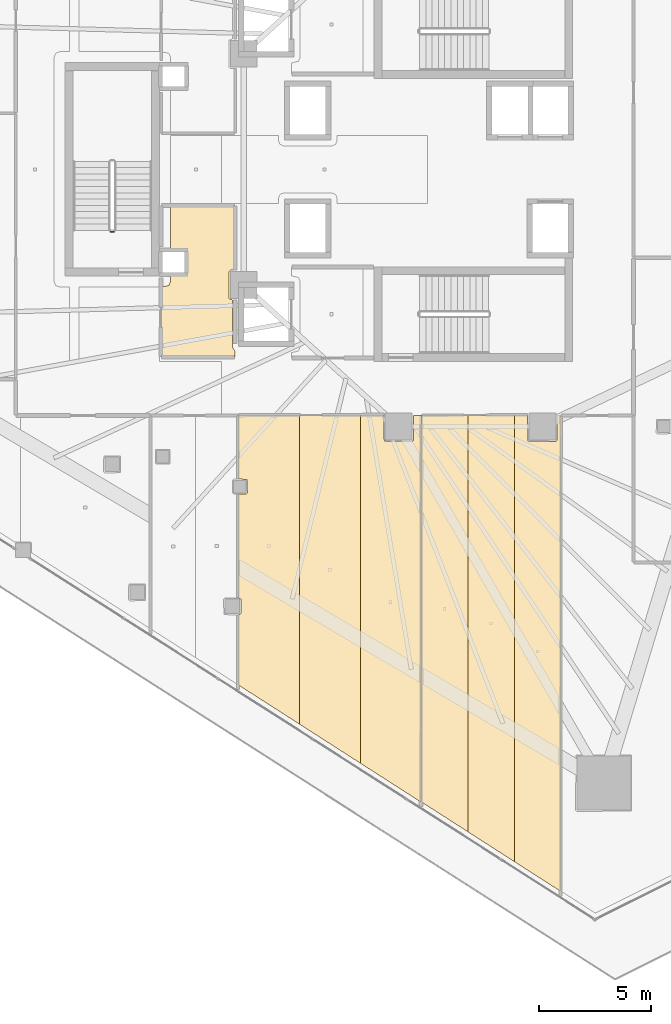
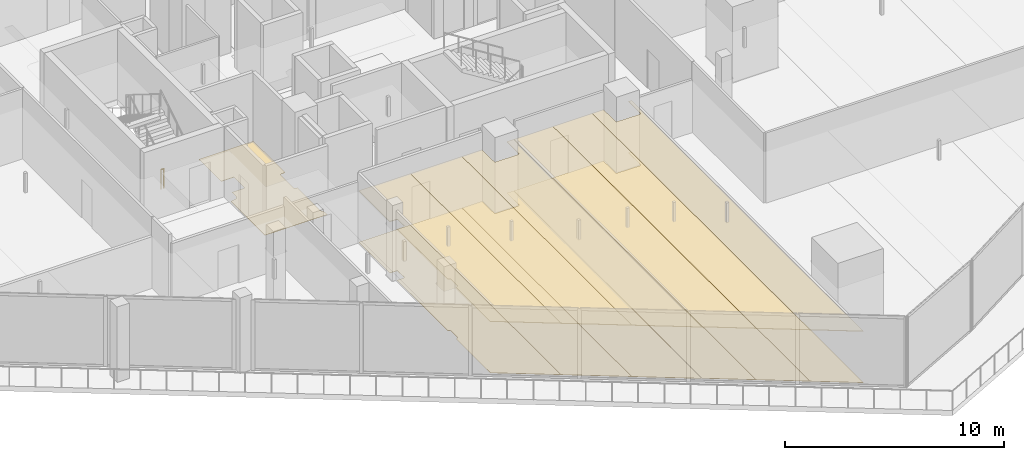
# One storey, part 37 of 44: 13 coverings, 1 railing.
"""IFC4 building model written with IfcOpenShell, lengths in metres."""

from ifc_helpers import new_model, si_unit, direction, frame, origin, origin_2d, place, context, subcontext, project, spatial, polyline, circle, outline, extrude, material, layer, layer_set, type_object, element, save


model = new_model("IFC4")

# Units and contexts
model_context = context("Model", 3, precision=1e-05, world=origin(), true_north=direction((0.0, 1.0)))
body_context = subcontext(model_context, "Body", "Model", "MODEL_VIEW")
ifc_project = project(units=[si_unit("LENGTHUNIT", "METRE"), si_unit("AREAUNIT", "SQUARE_METRE"), si_unit("VOLUMEUNIT", "CUBIC_METRE"), si_unit("PLANEANGLEUNIT", "RADIAN"), si_unit("MASSUNIT", "GRAM", prefix="KILO")], contexts=[model_context])

# Site, building, storey
site_placement = place(None, origin())
site = spatial("IfcSite", under=ifc_project, at=site_placement, CompositionType="ELEMENT")
building_placement = place(site_placement, origin())
building = spatial("IfcBuilding", under=site, at=building_placement, Name="Qorvath Tower", CompositionType="ELEMENT")
storey_placement = place(building_placement, frame((0.0, 0.0, 45.0)))
storey = spatial("IfcBuildingStorey", under=building, at=storey_placement, Name="L09", CompositionType="ELEMENT", Elevation=45.0)

# Coverings
ifc_material_1 = material(Name="Acoustic mineral fibre ceiling tile", Category="gypsum")
ifc_layer_1 = layer(ifc_material_1, 0.030029296875)
ifc_layer_set_1 = layer_set([ifc_layer_1], Name="COV-CEIL")
covering_type_1 = type_object("IfcCoveringType", Name="COV-CEIL", PredefinedType="CEILING", material=ifc_layer_set_1)
covering_1_placement = place(storey_placement, frame((0.0, 0.0, 2.85009765625)))
element("IfcCovering", 1, at=covering_1_placement, inside=storey, type_object=covering_type_1, Name="L09 Suspended Acoustic Ceiling 024", PredefinedType="CEILING", context=body_context, shape_type="SweptSolid", body=[
    extrude(outline(polyline([(-28.028076171875, -24.69775390625), (-28.028076171875, -10.953369140625), (-30.744384765625, -10.962890625), (-30.744384765625, -13.789306640625), (-30.35986328125, -13.806884765625), (-30.34228515625, -14.3994140625), (-30.402099609375, -14.459228515625), (-30.744384765625, -14.459228515625), (-30.744384765625, -19.075439453125), (-30.631103515625, -19.135498046875), (-30.631103515625, -19.785400390625), (-30.744384765625, -19.845458984375), (-30.744384765625, -22.95556640625), (-28.028076171875, -24.69775390625)])), origin(), (0.0, 0.0, 1.0), 0.030029296875),
])
covering_2_placement = place(storey_placement, frame((0.0, 0.0, 2.85009765625)))
element("IfcCovering", 2, at=covering_2_placement, inside=storey, type_object=covering_type_1, Name="L09 Suspended Acoustic Ceiling 025", PredefinedType="CEILING", context=body_context, shape_type="SweptSolid", body=[
    extrude(outline(polyline([(-25.311767578125, -26.440185546875), (-25.311767578125, -10.94384765625), (-28.028076171875, -10.953369140625), (-28.028076171875, -24.69775390625), (-25.311767578125, -26.440185546875)])), origin(), (0.0, 0.0, 1.0), 0.030029296875),
])
covering_3_placement = place(storey_placement, frame((0.0, 0.0, 2.85009765625)))
element("IfcCovering", 3, at=covering_3_placement, inside=storey, type_object=covering_type_1, Name="L09 Suspended Acoustic Ceiling 026", PredefinedType="CEILING", context=body_context, shape_type="SweptSolid", body=[
    extrude(outline(polyline([(-22.613037109375, -28.1708984375), (-22.595458984375, -10.962890625), (-22.93994140625, -10.94921875), (-22.93994140625, -12.050048828125), (-23.0, -12.110107421875), (-24.242431640625, -12.092529296875), (-24.260009765625, -10.940185546875), (-25.311767578125, -10.94384765625), (-25.311767578125, -26.440185546875), (-22.613037109375, -28.1708984375)])), origin(), (0.0, 0.0, 1.0), 0.030029296875),
])
covering_4_placement = place(storey_placement, frame((0.0, 0.0, 2.85009765625)))
element("IfcCovering", 4, at=covering_4_placement, inside=storey, type_object=covering_type_1, Name="L09 Suspended Acoustic Ceiling 027", PredefinedType="CEILING", context=body_context, shape_type="SweptSolid", body=[
    extrude(outline(polyline([(-20.5244140625, -29.49365234375), (-20.5244140625, -10.953125), (-22.577392578125, -10.962890625), (-22.59521484375, -28.1640625), (-20.5244140625, -29.49365234375)])), origin(), (0.0, 0.0, 1.0), 0.030029296875),
])
covering_5_placement = place(storey_placement, frame((0.0, 0.0, 2.85009765625)))
element("IfcCovering", 5, at=covering_5_placement, inside=storey, type_object=covering_type_1, Name="L09 Suspended Acoustic Ceiling 028", PredefinedType="CEILING", context=body_context, shape_type="SweptSolid", body=[
    extrude(outline(polyline([(-18.45361328125, -30.823486328125), (-18.45361328125, -10.943115234375), (-20.5244140625, -10.953125), (-20.5244140625, -29.49365234375), (-18.45361328125, -30.823486328125)])), origin(), (0.0, 0.0, 1.0), 0.030029296875),
])
covering_6_placement = place(storey_placement, frame((0.0, 0.0, 2.85009765625)))
element("IfcCovering", 6, at=covering_6_placement, inside=storey, type_object=covering_type_1, Name="L09 Suspended Acoustic Ceiling 029", PredefinedType="CEILING", context=body_context, shape_type="SweptSolid", body=[
    extrude(outline(polyline([(-16.400390625, -32.1416015625), (-16.3828125, -10.962646484375), (-16.5400390625, -10.953857421875), (-16.5400390625, -12.050048828125), (-16.60009765625, -12.110107421875), (-17.842529296875, -12.092529296875), (-17.860107421875, -10.940185546875), (-18.45361328125, -10.943115234375), (-18.45361328125, -30.823486328125), (-16.400390625, -32.1416015625)])), origin(), (0.0, 0.0, 1.0), 0.030029296875),
])
ifc_material_2 = material(Name="Low-VOC modular carpet tile", Category="textile")
ifc_layer_2 = layer(ifc_material_2, 0.014892578125)
ifc_layer_set_2 = layer_set([ifc_layer_2], Name="COV-FLOOR-CPT")
covering_type_2 = type_object("IfcCoveringType", Name="COV-FLOOR-CPT", PredefinedType="FLOORING", material=ifc_layer_set_2)
covering_7_placement = place(storey_placement, origin())
element("IfcCovering", 7, at=covering_7_placement, inside=storey, type_object=covering_type_2, Name="L09 Floor Finish 004", PredefinedType="FLOORING", context=body_context, shape_type="SweptSolid", body=[
    extrude(outline(polyline([(-30.885009765625, -1.60498046875), (-33.760009765625, -1.60498046875), (-33.760009765625, -3.636962890625), (-33.08837890625, -3.638427734375), (-33.0869140625, -4.6279296875), (-33.760009765625, -4.633056640625), (-33.760009765625, -4.989990234375), (-33.833251953125, -5.166748046875), (-34.175048828125, -5.239990234375), (-34.175048828125, -8.344970703125), (-30.885009765625, -8.344970703125), (-30.885009765625, -8.108154296875), (-31.010009765625, -7.909912109375), (-31.010009765625, -5.81005859375), (-31.159912109375, -5.75), (-31.159912109375, -4.550048828125), (-31.10009765625, -4.489990234375), (-30.885009765625, -4.489990234375), (-30.885009765625, -1.60498046875)])), origin(), (0.0, 0.0, 1.0), 0.014892578125),
])
covering_8_placement = place(storey_placement, origin())
element("IfcCovering", 8, at=covering_8_placement, inside=storey, type_object=covering_type_2, Name="L09 Floor Finish 024", PredefinedType="FLOORING", context=body_context, shape_type="SweptSolid", body=[
    extrude(outline(polyline([(-28.028076171875, -24.69775390625), (-28.028076171875, -10.953369140625), (-30.744384765625, -10.962890625), (-30.744384765625, -13.789306640625), (-30.35986328125, -13.806884765625), (-30.34228515625, -14.3994140625), (-30.402099609375, -14.459228515625), (-30.744384765625, -14.459228515625), (-30.744384765625, -19.075439453125), (-30.631103515625, -19.135498046875), (-30.631103515625, -19.785400390625), (-30.744384765625, -19.845458984375), (-30.744384765625, -22.95556640625), (-28.028076171875, -24.69775390625)])), origin(), (0.0, 0.0, 1.0), 0.014892578125),
])
covering_9_placement = place(storey_placement, origin())
element("IfcCovering", 9, at=covering_9_placement, inside=storey, type_object=covering_type_2, Name="L09 Floor Finish 025", PredefinedType="FLOORING", context=body_context, shape_type="SweptSolid", body=[
    extrude(outline(polyline([(-25.311767578125, -26.440185546875), (-25.311767578125, -10.94384765625), (-28.028076171875, -10.953369140625), (-28.028076171875, -24.69775390625), (-25.311767578125, -26.440185546875)])), origin(), (0.0, 0.0, 1.0), 0.014892578125),
])
covering_10_placement = place(storey_placement, origin())
element("IfcCovering", 10, at=covering_10_placement, inside=storey, type_object=covering_type_2, Name="L09 Floor Finish 026", PredefinedType="FLOORING", context=body_context, shape_type="SweptSolid", body=[
    extrude(outline(polyline([(-22.613037109375, -28.1708984375), (-22.595458984375, -10.962890625), (-22.93994140625, -10.94921875), (-22.93994140625, -12.050048828125), (-23.0, -12.110107421875), (-24.242431640625, -12.092529296875), (-24.260009765625, -10.940185546875), (-25.311767578125, -10.94384765625), (-25.311767578125, -26.440185546875), (-22.613037109375, -28.1708984375)])), origin(), (0.0, 0.0, 1.0), 0.014892578125),
])
covering_11_placement = place(storey_placement, origin())
element("IfcCovering", 11, at=covering_11_placement, inside=storey, type_object=covering_type_2, Name="L09 Floor Finish 027", PredefinedType="FLOORING", context=body_context, shape_type="SweptSolid", body=[
    extrude(outline(polyline([(-20.5244140625, -29.49365234375), (-20.5244140625, -10.953125), (-22.577392578125, -10.962890625), (-22.59521484375, -28.1640625), (-20.5244140625, -29.49365234375)])), origin(), (0.0, 0.0, 1.0), 0.014892578125),
])
covering_12_placement = place(storey_placement, origin())
element("IfcCovering", 12, at=covering_12_placement, inside=storey, type_object=covering_type_2, Name="L09 Floor Finish 028", PredefinedType="FLOORING", context=body_context, shape_type="SweptSolid", body=[
    extrude(outline(polyline([(-18.45361328125, -30.823486328125), (-18.45361328125, -10.943115234375), (-20.5244140625, -10.953125), (-20.5244140625, -29.49365234375), (-18.45361328125, -30.823486328125)])), origin(), (0.0, 0.0, 1.0), 0.014892578125),
])
covering_13_placement = place(storey_placement, origin())
element("IfcCovering", 13, at=covering_13_placement, inside=storey, type_object=covering_type_2, Name="L09 Floor Finish 029", PredefinedType="FLOORING", context=body_context, shape_type="SweptSolid", body=[
    extrude(outline(polyline([(-16.400390625, -32.1416015625), (-16.3828125, -10.962646484375), (-16.5400390625, -10.953857421875), (-16.5400390625, -12.050048828125), (-16.60009765625, -12.110107421875), (-17.842529296875, -12.092529296875), (-17.860107421875, -10.940185546875), (-18.45361328125, -10.943115234375), (-18.45361328125, -30.823486328125), (-16.400390625, -32.1416015625)])), origin(), (0.0, 0.0, 1.0), 0.014892578125),
])

# Railing
ifc_material_3 = material(Name="Painted galvanised steel", Category="steel")
railing_type = type_object("IfcRailingType", Name="RL-STR-GRD", PredefinedType="GUARDRAIL", material=ifc_material_3)
railing_placement = place(storey_placement, frame((-36.280029296875, -2.77001953125, 0.0)))
element("IfcRailing", 14, at=railing_placement, inside=storey, type_object=railing_type, Name="L09 TS3 stair guard 4", PredefinedType="GUARDRAIL", context=body_context, shape_type="SweptSolid", body=[
    extrude(circle(Radius=0.02392578125, at=origin_2d()), frame((0.0, 0.0, 1.076171875), z_axis=(-1.0, 0.0, 0.0), x_axis=(0.0, -1.0, 0.0)), (0.0, 0.0, 1.0), 0.14990234375),
    extrude(circle(Radius=0.02099609375, at=origin_2d()), origin(), (0.0, 0.0, 1.0), 1.052001953125),
    extrude(circle(Radius=0.02099609375, at=origin_2d()), frame((-0.14990234375, 0.0, 0.0)), (0.0, 0.0, 1.0), 1.052001953125),
])

save(model, "model.ifc")
